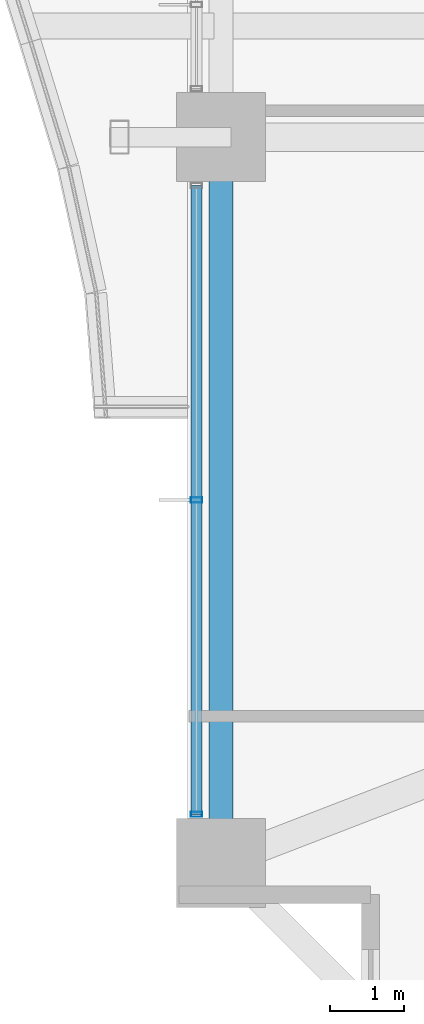
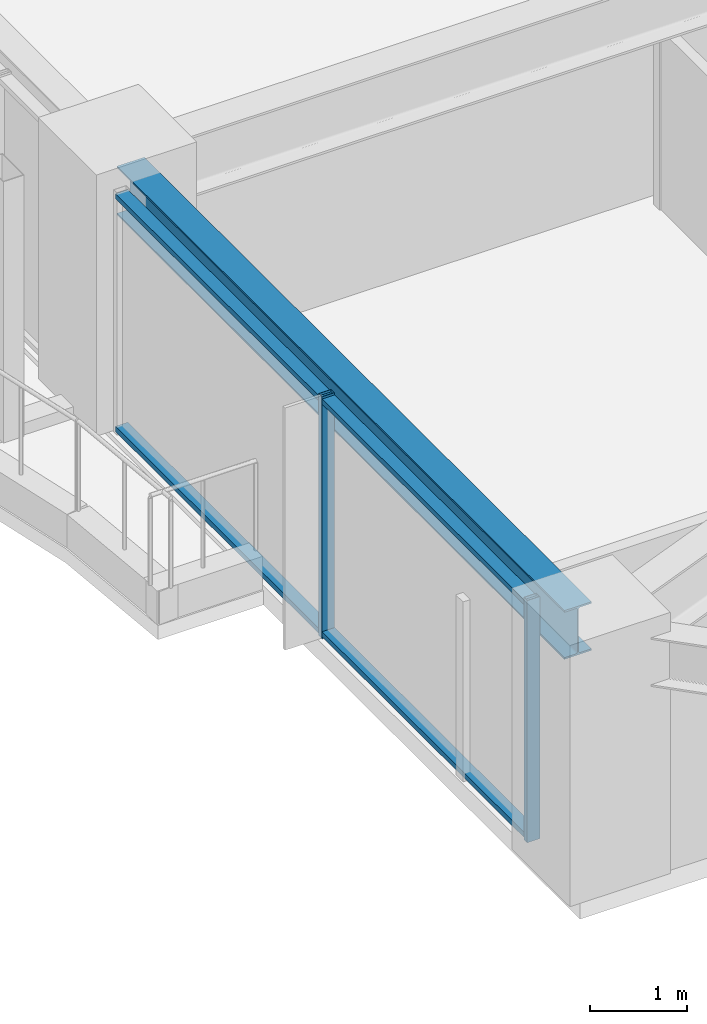
# One storey, part 3 of 38: 4 members, 1 beam, 1 element without a shape of its own.
"""IFC4 building model written with IfcOpenShell, lengths in metres."""

from ifc_helpers import new_model, si_unit, direction, frame, origin, origin_2d, place, context, subcontext, project, spatial, hollow_rectangle, i_section, extrude, material, material_profile, profile_set, type_object, element, aggregate, save


model = new_model("IFC4")

# Units and contexts
model_context = context("Model", 3, precision=1e-05, world=origin(), true_north=direction((0.0, 1.0)))
body_context = subcontext(model_context, "Body", "Model", "MODEL_VIEW")
ifc_project = project(units=[si_unit("LENGTHUNIT", "METRE"), si_unit("AREAUNIT", "SQUARE_METRE"), si_unit("VOLUMEUNIT", "CUBIC_METRE"), si_unit("PLANEANGLEUNIT", "RADIAN"), si_unit("MASSUNIT", "GRAM", prefix="KILO")], contexts=[model_context])

# Site, building, storey
site_placement = place(None, origin())
site = spatial("IfcSite", under=ifc_project, at=site_placement, CompositionType="ELEMENT")
building_placement = place(site_placement, origin())
building = spatial("IfcBuilding", under=site, at=building_placement, Name="Kolvaren Belvedere", CompositionType="ELEMENT")
storey_placement = place(building_placement, frame((0.0, 0.0, 53.5)))
storey = spatial("IfcBuildingStorey", under=building, at=storey_placement, Name="L15", CompositionType="ELEMENT", Elevation=53.5)

# Beam
ifc_material_1 = material(Name="Structural steel ASTM A992 Grade 50", Category="steel")
ifc_material_profile_1 = material_profile(ifc_material_1, i_section(OverallWidth=0.324951171875, OverallDepth=0.615966796875, WebThickness=0.013916015625, FlangeThickness=0.021484375, FilletRadius=0.02001953125, at=origin_2d()), Name="W24X117")
ifc_profile_set_1 = profile_set([ifc_material_profile_1], Name="Structural steel ASTM A992 Grade 50")
beam_type = type_object("IfcBeamType", Name="BM-SPAN-W24X117", PredefinedType="SPANDREL", material=ifc_profile_set_1)
beam_placement = place(storey_placement, frame((-21.550048828125, -4.8701171875, 2.751953125), z_axis=(0.0, -1.0, 0.0), x_axis=(1.0, 0.0, 0.0)))
element("IfcBeam", 1, at=beam_placement, inside=storey, type_object=beam_type, Name="L15 Perimeter Spandrel W2-W1", PredefinedType="SPANDREL", context=body_context, shape_type="SweptSolid", body=[
    extrude(i_section(OverallWidth=0.324951171875, OverallDepth=0.615966796875, WebThickness=0.013916015625, FlangeThickness=0.021484375, FilletRadius=0.02001953125, at=origin_2d()), origin(), (0.0, 0.0, 1.0), 9.259765625),
])

# Curtain wall, members
ifc_material_2 = material(Name="Anodised pale-metal aluminium AA 6063-T6", Category="aluminium")
curtain_wall_type = type_object("IfcCurtainWallType", Name="CW-Z1-LOW", PredefinedType="NOTDEFINED", material=ifc_material_2)
curtain_wall_placement = place(storey_placement, origin())
curtain_wall = element("IfcCurtainWall", 2, at=curtain_wall_placement, inside=storey, type_object=curtain_wall_type, Name="L15 Unitised Curtain Wall FCW-L15-W1-B1", PredefinedType="NOTDEFINED")
ifc_material_3 = material(Name="Anodised pale-metal aluminium AA 6063-T6", Category="aluminium")
ifc_material_profile_2 = material_profile(ifc_material_3, hollow_rectangle(XDim=0.070068359375, YDim=0.14990234375, WallThickness=0.004150390625, at=origin_2d()), Name="ALU-MUL-150X70")
ifc_profile_set_2 = profile_set([ifc_material_profile_2], Name="Anodised pale-metal aluminium AA 6063-T6")
member_type_1 = type_object("IfcMemberType", Name="CW-MUL-150", PredefinedType="MULLION", material=ifc_profile_set_2)
member_1_placement = place(storey_placement, frame((-21.8798828125, -13.7451171875, 0.0), z_axis=(0.0, 0.0, 1.0), x_axis=(0.0, 1.0, 0.0)))
member_1 = element("IfcMember", 3, at=member_1_placement, type_object=member_type_1, Name="FCW-L15-W1-B1 Unitised Mullion 1", PredefinedType="MULLION", context=body_context, shape_type="SweptSolid", body=[
    extrude(hollow_rectangle(XDim=0.070068359375, YDim=0.14990234375, WallThickness=0.004150390625, at=origin_2d()), origin(), (0.0, 0.0, 1.0), 3.06005859375),
])
member_2_placement = place(storey_placement, frame((-21.8798828125, -9.5, 0.0), z_axis=(0.0, 0.0, 1.0), x_axis=(0.0, 1.0, 0.0)))
member_2 = element("IfcMember", 4, at=member_2_placement, type_object=member_type_1, Name="FCW-L15-W1-B1 Unitised Mullion 2", PredefinedType="MULLION", context=body_context, shape_type="SweptSolid", body=[
    extrude(hollow_rectangle(XDim=0.070068359375, YDim=0.14990234375, WallThickness=0.004150390625, at=origin_2d()), origin(), (0.0, 0.0, 1.0), 3.06005859375),
])
ifc_material_4 = material(Name="Anodised pale-metal aluminium AA 6063-T6", Category="aluminium")
ifc_material_profile_3 = material_profile(ifc_material_4, hollow_rectangle(XDim=0.06494140625, YDim=0.14990234375, WallThickness=0.00390625, at=origin_2d()), Name="ALU-TRN-150X65")
ifc_profile_set_3 = profile_set([ifc_material_profile_3], Name="Anodised pale-metal aluminium AA 6063-T6")
member_type_2 = type_object("IfcMemberType", Name="CW-TRN-150", PredefinedType="USERDEFINED", material=ifc_profile_set_3)
member_3_placement = place(storey_placement, frame((-21.8798828125, -13.7451171875, 0.06005859375), z_axis=(0.0, 1.0, 0.0), x_axis=(0.0, 0.0, 1.0)))
member_3 = element("IfcMember", 5, at=member_3_placement, type_object=member_type_2, Name="FCW-L15-W1-B1 Sill Transom", ObjectType="TRANSOM", PredefinedType="USERDEFINED", context=body_context, shape_type="SweptSolid", body=[
    extrude(hollow_rectangle(XDim=0.06494140625, YDim=0.14990234375, WallThickness=0.00390625, at=origin_2d()), origin(), (0.0, 0.0, 1.0), 8.490234375),
])
member_4_placement = place(storey_placement, frame((-21.8798828125, -13.7451171875, 3.0), z_axis=(0.0, 1.0, 0.0), x_axis=(0.0, 0.0, 1.0)))
member_4 = element("IfcMember", 6, at=member_4_placement, type_object=member_type_2, Name="FCW-L15-W1-B1 Head Transom", ObjectType="TRANSOM", PredefinedType="USERDEFINED", context=body_context, shape_type="SweptSolid", body=[
    extrude(hollow_rectangle(XDim=0.06494140625, YDim=0.14990234375, WallThickness=0.00390625, at=origin_2d()), origin(), (0.0, 0.0, 1.0), 8.490234375),
])
aggregate(curtain_wall, [member_1, member_2, member_3, member_4])

save(model, "model.ifc")
